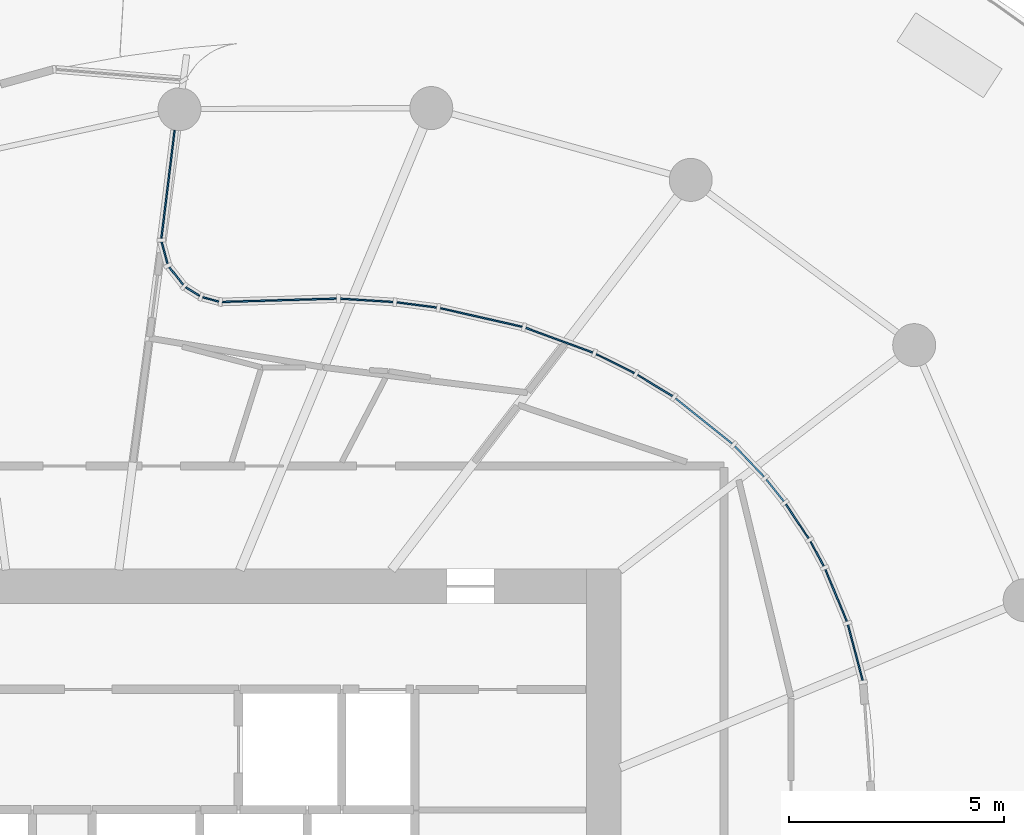
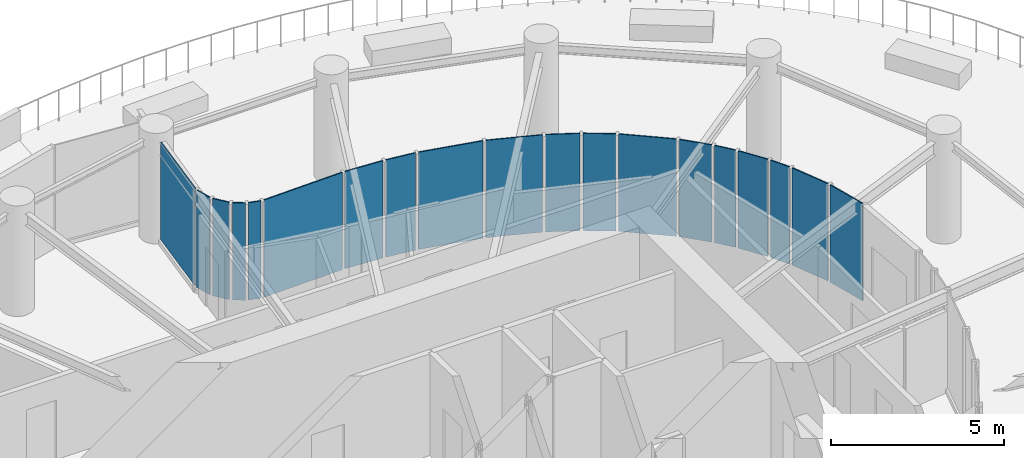
# One storey, part 11 of 21: 19 plates, 4 elements without a shape of their own.
"""IFC4 building model written with IfcOpenShell, lengths in metres."""

import ifcopenshell
import ifcopenshell.guid

model = None  # the IFC model being written
_history = None  # IfcOwnerHistory: only IFC2X3 demands one
_inside = {}  # id of a spatial element -> (the spatial element, [elements in it])
_under = {}  # id of a project, library or spatial element -> (it, [spatial elements below it])
_declared = {}  # id of a project -> (the project, [libraries it declares])
_typed = {}  # id of a type object -> (the type object, [elements of that type])
_made_of = {}  # id of a material, layer set ... -> (it, [elements and type objects made of it])


def new_model(schema):
    """Start an empty IFC model of exactly this schema.

    Asked for "IFC4X3", IfcOpenShell would pick the latest addendum, in which some entities
    have other attributes; the version numbers below select the first issue.
    IFC2X3 requires an IfcOwnerHistory on every rooted entity: one is made here for all.
    """
    global model, _history
    if schema == "IFC4X3":
        model = ifcopenshell.file(schema_version=(4, 3, 0, 0))
    else:
        model = ifcopenshell.file(schema=schema)
    _inside.clear()
    _under.clear()
    _declared.clear()
    _typed.clear()
    _made_of.clear()
    _history = None
    if model.schema == "IFC2X3":
        org = make("IfcOrganization", Name="unknown")
        user = make(
            "IfcPersonAndOrganization",
            ThePerson=make("IfcPerson", FamilyName="unknown"),
            TheOrganization=org,
        )
        app = make(
            "IfcApplication",
            ApplicationDeveloper=org,
            Version="unknown",
            ApplicationFullName="unknown",
            ApplicationIdentifier="unknown",
        )
        _history = make(
            "IfcOwnerHistory",
            OwningUser=user,
            OwningApplication=app,
            ChangeAction="ADDED",
            CreationDate=0,
        )
    return model


def make(cls, **values):
    """One entity of the class cls with the attributes given. An attribute that is None is left unset."""
    return model.create_entity(
        cls, **{name: value for name, value in values.items() if value is not None}
    )


def rooted(cls, **values):
    """An entity with a GlobalId (a new one), such as an element, a storey or a relation."""
    return make(cls, GlobalId=ifcopenshell.guid.new(), OwnerHistory=_history, **values)


def si_unit(unit_type, name, prefix=None):
    """IfcSIUnit, for example si_unit("LENGTHUNIT", "METRE", prefix="MILLI")."""
    return make("IfcSIUnit", UnitType=unit_type, Prefix=prefix, Name=name)


def assignment(units):
    """IfcUnitAssignment: the units of a project."""
    return None if units is None else make("IfcUnitAssignment", Units=units)


def point(xyz):
    """IfcCartesianPoint."""
    return None if xyz is None else make("IfcCartesianPoint", Coordinates=xyz)


def direction(xyz):
    """IfcDirection."""
    return None if xyz is None else make("IfcDirection", DirectionRatios=xyz)


def frame(location, z_axis=None, x_axis=None):
    """IfcAxis2Placement3D, a coordinate frame: its origin and axes. An axis left out is left unset."""
    return make(
        "IfcAxis2Placement3D",
        Location=point(location),
        Axis=direction(z_axis),
        RefDirection=direction(x_axis),
    )


def frame_2d(location, x_axis=None):
    """IfcAxis2Placement2D, a coordinate frame in the plane: its origin and x axis."""
    return make(
        "IfcAxis2Placement2D", Location=point(location), RefDirection=direction(x_axis)
    )


def origin():
    """The frame at (0, 0, 0) with its axes left unset."""
    return frame((0.0, 0.0, 0.0))


def origin_2d():
    """The frame at (0, 0) in the plane with its x axis left unset."""
    return frame_2d((0.0, 0.0))


def place(relative_to, where):
    """IfcLocalPlacement: puts the frame where relative to a parent placement (None: the world)."""
    return make(
        "IfcLocalPlacement", PlacementRelTo=relative_to, RelativePlacement=where
    )


def context(
    kind, dimensions, precision=None, world=None, true_north=None, identifier=None
):
    """IfcGeometricRepresentationContext, for example the 3D "Model" context."""
    return make(
        "IfcGeometricRepresentationContext",
        ContextIdentifier=identifier,
        ContextType=kind,
        CoordinateSpaceDimension=dimensions,
        Precision=precision,
        WorldCoordinateSystem=world,
        TrueNorth=true_north,
    )


def subcontext(parent, identifier, kind, view, scale=None):
    """IfcGeometricRepresentationSubContext, for example "Body" below "Model"."""
    return make(
        "IfcGeometricRepresentationSubContext",
        ContextIdentifier=identifier,
        ContextType=kind,
        ParentContext=parent,
        TargetScale=scale,
        TargetView=view,
    )


def project(units=None, contexts=None):
    """IfcProject with its units and contexts."""
    return rooted(
        "IfcProject",
        Name="project",
        RepresentationContexts=contexts,
        UnitsInContext=assignment(units),
    )


def spatial(cls, under=None, at=None, **own):
    """A site, building, storey or space (cls), placed at a placement, below another one or the project."""
    s = rooted(cls, ObjectPlacement=at, **own)
    if under is not None:
        _under.setdefault(under.id(), (under, []))[1].append(s)
    return s


def profile(cls, at=None, kind="AREA", **sizes):
    """A parametric profile (cls). Its sizes go by their IFC names, for example OverallWidth=200.0."""
    return make(cls, ProfileType=kind, Position=at, **sizes)


def rectangle(**sizes):
    """IfcRectangleProfileDef."""
    return profile("IfcRectangleProfileDef", **sizes)


def extrude(swept, where, along, depth):
    """IfcExtrudedAreaSolid: the profile swept, set in the frame where, extruded along a direction by depth."""
    return make(
        "IfcExtrudedAreaSolid",
        SweptArea=swept,
        Position=where,
        ExtrudedDirection=direction(along),
        Depth=depth,
    )


def shape(context_of_items, identifier, shape_type, items):
    """IfcShapeRepresentation: the items that make up one representation, for example the "Body"."""
    return make(
        "IfcShapeRepresentation",
        ContextOfItems=context_of_items,
        RepresentationIdentifier=identifier,
        RepresentationType=shape_type,
        Items=items,
    )


def source(mapping_origin, context_of_items, identifier, shape_type, items):
    """IfcRepresentationMap: a shape defined once, which mapped items show again and again."""
    return make(
        "IfcRepresentationMap",
        MappingOrigin=mapping_origin,
        MappedRepresentation=shape(context_of_items, identifier, shape_type, items),
    )


def transform(
    local_origin,
    x_axis=None,
    y_axis=None,
    z_axis=None,
    scale=None,
    scale2=None,
    scale3=None,
    uniform=True,
):
    """IfcCartesianTransformationOperator3D, or its non-uniform kind. x_axis, y_axis, z_axis: its Axis1, 2, 3."""
    if uniform:
        return make(
            "IfcCartesianTransformationOperator3D",
            Axis1=direction(x_axis),
            Axis2=direction(y_axis),
            LocalOrigin=point(local_origin),
            Scale=scale,
            Axis3=direction(z_axis),
        )
    return make(
        "IfcCartesianTransformationOperator3DnonUniform",
        Axis1=direction(x_axis),
        Axis2=direction(y_axis),
        LocalOrigin=point(local_origin),
        Scale=scale,
        Axis3=direction(z_axis),
        Scale2=scale2,
        Scale3=scale3,
    )


def mapped(mapping_source, mapping_target):
    """IfcMappedItem: shows the shape of a source again, moved by a transform."""
    return make(
        "IfcMappedItem", MappingSource=mapping_source, MappingTarget=mapping_target
    )


def material(Name=None, Category=None):
    """IfcMaterial."""
    return make("IfcMaterial", Name=Name, Category=Category)


def layer(
    of_material, thickness, ventilated=None, Name=None, Category=None, Priority=None
):
    """IfcMaterialLayer: one layer of a wall or slab, of a material (None: an air gap)."""
    return make(
        "IfcMaterialLayer",
        Material=of_material,
        LayerThickness=thickness,
        IsVentilated=ventilated,
        Name=Name,
        Category=Category,
        Priority=Priority,
    )


def layer_set(layers, Name=None):
    """IfcMaterialLayerSet."""
    return make("IfcMaterialLayerSet", MaterialLayers=layers, LayerSetName=Name)


def made_of(thing, what):
    """Note that an element or type object is made of a material, layer set ...; save() writes the relation."""
    if what is not None:
        _made_of.setdefault(what.id(), (what, []))[1].append(thing)
    return thing


def type_object(cls, material=None, **own):
    """A type object (cls), such as IfcWallType, which elements share."""
    return made_of(rooted(cls, **own), material)


def element(
    cls,
    number,
    at=None,
    inside=None,
    cuts=None,
    type_object=None,
    material=None,
    context=None,
    identifier="Body",
    shape_type=None,
    held_by="IfcProductDefinitionShape",
    body=None,
    shapes=None,
    **own,
):
    """One element of the class cls, such as IfcWall. Its Tag is "e" and its number.

    at: its placement. inside: the storey or other place that contains it. cuts: it is an
    opening in that element (IfcRelVoidsElement). A single representation is given by context,
    identifier, shape_type and body (its items); several are given by shapes. held_by: the class
    of the entity that holds the representations. save() writes the other relations.
    """
    e = rooted(cls, Tag="e%d" % number, ObjectPlacement=at, **own)
    if body is not None:
        shapes = [shape(context, identifier, shape_type, body)]
    if shapes is not None:
        e.Representation = make(held_by, Representations=shapes)
    if inside is not None:
        _inside.setdefault(inside.id(), (inside, []))[1].append(e)
    if cuts is not None:
        rooted(
            "IfcRelVoidsElement", RelatingBuildingElement=cuts, RelatedOpeningElement=e
        )
    if type_object is not None:
        _typed.setdefault(type_object.id(), (type_object, []))[1].append(e)
    return made_of(e, material)


def aggregate(whole, parts):
    """IfcRelAggregates: a whole, such as a stair, and the parts it consists of."""
    return rooted("IfcRelAggregates", RelatingObject=whole, RelatedObjects=parts)


def save(model, path):
    """Write the relations noted so far, then the file.

    IfcRelAggregates (storeys below a building ...), IfcRelContainedInSpatialStructure (elements
    in a storey), IfcRelDefinesByType, IfcRelAssociatesMaterial and IfcRelDeclares: one each for
    every whole, place, type object, material and project.
    """
    for whole, parts in _under.values():
        aggregate(whole, parts)
    for where, things in _inside.values():
        rooted(
            "IfcRelContainedInSpatialStructure",
            RelatedElements=things,
            RelatingStructure=where,
        )
    for kind, things in _typed.values():
        rooted("IfcRelDefinesByType", RelatedObjects=things, RelatingType=kind)
    for what, things in _made_of.values():
        rooted("IfcRelAssociatesMaterial", RelatedObjects=things, RelatingMaterial=what)
    for by, libraries in _declared.values():
        rooted("IfcRelDeclares", RelatingContext=by, RelatedDefinitions=libraries)
    model.write(path)


model = new_model("IFC4")

# Units and contexts
model_context = context("Model", 3, precision=1e-05, world=origin(), true_north=direction((0.0, 1.0)))
body_context = subcontext(model_context, "Body", "Model", "MODEL_VIEW")
ifc_project = project(units=[si_unit("LENGTHUNIT", "METRE"), si_unit("AREAUNIT", "SQUARE_METRE"), si_unit("VOLUMEUNIT", "CUBIC_METRE"), si_unit("PLANEANGLEUNIT", "RADIAN"), si_unit("MASSUNIT", "GRAM", prefix="KILO")], contexts=[model_context])

# Site, building, storey
site_placement = place(None, origin())
site = spatial("IfcSite", under=ifc_project, at=site_placement, CompositionType="ELEMENT")
building_placement = place(site_placement, origin())
building = spatial("IfcBuilding", under=site, at=building_placement, Name="Spindrift Exchange Tower", CompositionType="ELEMENT")
storey_placement = place(building_placement, frame((0.0, 0.0, 133.10009765625)))
storey = spatial("IfcBuildingStorey", under=building, at=storey_placement, Name="L31", CompositionType="ELEMENT", Elevation=133.10009765625)

# Curtain wall, plates
ifc_material_1 = material(Name="Fritted laminated glass with bronze frame", Category="glass")
ifc_layer_1 = layer(ifc_material_1, 0.199951171875)
ifc_layer_set_1 = layer_set([ifc_layer_1], Name="SKY GARDEN BRONZE GLAZED WALL")
curtain_wall_type = type_object("IfcCurtainWallType", Name="SKY GARDEN BRONZE GLAZED WALL", PredefinedType="NOTDEFINED", material=ifc_layer_set_1)
curtain_wall_1_placement = place(storey_placement, origin())
curtain_wall_1 = element("IfcCurtainWall", 1, at=curtain_wall_1_placement, inside=storey, type_object=curtain_wall_type, Name="L31 Sky Garden Bronze Glazed Wall run 8", PredefinedType="NOTDEFINED")
ifc_material_2 = material(Name="Bronze tinted laminated glass, clear vision", Category="glass")
ifc_layer_2 = layer(ifc_material_2, 0.0380859375)
ifc_layer_set_2 = layer_set([ifc_layer_2], Name="SKY GARDEN BRONZE GLAZED WALL PANEL CLEAR 1920")
plate_type_1 = type_object("IfcPlateType", Name="SKY GARDEN BRONZE GLAZED WALL PANEL CLEAR 1920", PredefinedType="CURTAIN_PANEL", material=ifc_layer_set_2)
shared_shape_1 = source(origin(), body_context, "Body", "SweptSolid", [
    extrude(rectangle(XDim=1.335693359375, YDim=0.0380859375, at=origin_2d()), origin(), (0.0, 0.0, 1.0), 3.429931640625),
])
plate_1_placement = place(storey_placement, frame((70.45556640625, 56.055419921875, 0.14990234375), z_axis=(0.0, 0.0, 1.0), x_axis=(-0.25473865856, 0.967009935748, 0.0)))
plate_1 = element("IfcPlate", 2, at=plate_1_placement, type_object=plate_type_1, Name="L31 panel CW-G.42", PredefinedType="CURTAIN_PANEL", context=body_context, shape_type="MappedRepresentation", body=[
    mapped(shared_shape_1, transform((0.0, 0.0, 0.0), scale=1.0)),
])
shared_shape_2 = source(origin(), body_context, "Body", "SweptSolid", [
    extrude(rectangle(XDim=1.310546875, YDim=0.0380859375, at=origin_2d()), origin(), (0.0, 0.0, 1.0), 3.429931640625),
])
plate_2_placement = place(storey_placement, frame((70.00830078125, 57.38720703125, 0.14990234375), z_axis=(0.0, 0.0, 1.0), x_axis=(-0.381794782386, 0.924247122875, 0.0)))
plate_2 = element("IfcPlate", 3, at=plate_2_placement, type_object=plate_type_1, Name="L31 panel CW-G.43", PredefinedType="CURTAIN_PANEL", context=body_context, shape_type="MappedRepresentation", body=[
    mapped(shared_shape_2, transform((0.0, 0.0, 0.0), scale=1.0)),
])
ifc_layer_3 = layer(ifc_material_2, 0.0380859375)
ifc_layer_set_3 = layer_set([ifc_layer_3], Name="SKY GARDEN BRONZE GLAZED WALL PANEL CLEAR 1200")
plate_type_2 = type_object("IfcPlateType", Name="SKY GARDEN BRONZE GLAZED WALL PANEL CLEAR 1200", PredefinedType="CURTAIN_PANEL", material=ifc_layer_set_3)
shared_shape_3 = source(origin(), body_context, "Body", "SweptSolid", [
    extrude(rectangle(XDim=0.651123046875, YDim=0.0380859375, at=origin_2d()), origin(), (0.0, 0.0, 1.0), 3.429931640625),
])
plate_3_placement = place(storey_placement, frame((69.56640625, 58.355712890625, 0.14990234375), z_axis=(0.0, 0.0, 1.0), x_axis=(-0.476585008015, 0.879128392293, 0.0)))
plate_3 = element("IfcPlate", 4, at=plate_3_placement, type_object=plate_type_2, Name="L31 panel CW-G.44", PredefinedType="CURTAIN_PANEL", context=body_context, shape_type="MappedRepresentation", body=[
    mapped(shared_shape_3, transform((0.0, 0.0, 0.0), scale=1.0)),
])
shared_shape_4 = source(origin(), body_context, "Body", "SweptSolid", [
    extrude(rectangle(XDim=0.954833984375, YDim=0.0380859375, at=origin_2d()), origin(), (0.0, 0.0, 1.0), 3.429931640625),
])
plate_4_placement = place(storey_placement, frame((69.10400390625, 59.11279296875, 0.14990234375), z_axis=(0.0, 0.0, 1.0), x_axis=(-0.552345887812, 0.833615031185, 0.0)))
plate_4 = element("IfcPlate", 5, at=plate_4_placement, type_object=plate_type_2, Name="L31 panel CW-G.45", PredefinedType="CURTAIN_PANEL", context=body_context, shape_type="MappedRepresentation", body=[
    mapped(shared_shape_4, transform((0.0, 0.0, 0.0), scale=1.0)),
])
aggregate(curtain_wall_1, [plate_1, plate_2, plate_3, plate_4])

curtain_wall_2_placement = place(storey_placement, origin())
curtain_wall_2 = element("IfcCurtainWall", 6, at=curtain_wall_2_placement, inside=storey, type_object=curtain_wall_type, Name="L31 Sky Garden Bronze Glazed Wall run 9", PredefinedType="NOTDEFINED")
shared_shape_5 = source(origin(), body_context, "Body", "SweptSolid", [
    extrude(rectangle(XDim=0.65087890625, YDim=0.0380859375, at=origin_2d()), origin(), (0.0, 0.0, 1.0), 3.429931640625),
])
plate_5_placement = place(storey_placement, frame((68.587158203125, 59.833740234375, 0.14990234375), z_axis=(0.0, 0.0, 1.0), x_axis=(-0.623750007133, 0.78162390483, 0.0)))
plate_5 = element("IfcPlate", 7, at=plate_5_placement, type_object=plate_type_1, Name="L31 panel CW-G.46", PredefinedType="CURTAIN_PANEL", context=body_context, shape_type="MappedRepresentation", body=[
    mapped(shared_shape_5, transform((0.0, 0.0, 0.0), scale=1.0)),
])
ifc_layer_4 = layer(ifc_material_2, 0.0380859375)
ifc_layer_set_4 = layer_set([ifc_layer_4], Name="SKY GARDEN BRONZE GLAZED WALL PANEL CLEAR 1560")
plate_type_3 = type_object("IfcPlateType", Name="SKY GARDEN BRONZE GLAZED WALL PANEL CLEAR 1560", PredefinedType="CURTAIN_PANEL", material=ifc_layer_set_4)
shared_shape_6 = source(origin(), body_context, "Body", "SweptSolid", [
    extrude(rectangle(XDim=0.980224609375, YDim=0.0380859375, at=origin_2d()), origin(), (0.0, 0.0, 1.0), 3.429931640625),
])
plate_6_placement = place(storey_placement, frame((67.989990234375, 60.507080078125, 0.14990234375), z_axis=(0.0, 0.0, 1.0), x_axis=(-0.690200723852, 0.723617966052, 0.0)))
plate_6 = element("IfcPlate", 8, at=plate_6_placement, type_object=plate_type_3, Name="L31 panel CW-G.47", PredefinedType="CURTAIN_PANEL", context=body_context, shape_type="MappedRepresentation", body=[
    mapped(shared_shape_6, transform((0.0, 0.0, 0.0), scale=1.0)),
])
shared_shape_7 = source(origin(), body_context, "Body", "SweptSolid", [
    extrude(rectangle(XDim=1.68798828125, YDim=0.0380859375, at=origin_2d()), origin(), (0.0, 0.0, 1.0), 3.429931640625),
])
plate_7_placement = place(storey_placement, frame((66.930419921875, 61.4462890625, 0.14990234375), z_axis=(0.0, 0.0, 1.0), x_axis=(-0.780643156723, 0.624977009066, 0.0)))
plate_7 = element("IfcPlate", 9, at=plate_7_placement, type_object=plate_type_3, Name="L31 panel CW-G.48", PredefinedType="CURTAIN_PANEL", context=body_context, shape_type="MappedRepresentation", body=[
    mapped(shared_shape_7, transform((0.0, 0.0, 0.0), scale=1.0)),
])
shared_shape_8 = source(origin(), body_context, "Body", "SweptSolid", [
    extrude(rectangle(XDim=0.955810546875, YDim=0.0380859375, at=origin_2d()), origin(), (0.0, 0.0, 1.0), 3.429931640625),
])
plate_8_placement = place(storey_placement, frame((65.79443359375, 62.2724609375, 0.14990234375), z_axis=(0.0, 0.0, 1.0), x_axis=(-0.852665697433, 0.522456896233, 0.0)))
plate_8 = element("IfcPlate", 10, at=plate_8_placement, type_object=plate_type_3, Name="L31 panel CW-G.49", PredefinedType="CURTAIN_PANEL", context=body_context, shape_type="MappedRepresentation", body=[
    mapped(shared_shape_8, transform((0.0, 0.0, 0.0), scale=1.0)),
])
shared_shape_9 = source(origin(), body_context, "Body", "SweptSolid", [
    extrude(rectangle(XDim=0.994140625, YDim=0.0380859375, at=origin_2d()), origin(), (0.0, 0.0, 1.0), 3.429931640625),
])
plate_9_placement = place(storey_placement, frame((64.86767578125, 62.784912109375, 0.14990234375), z_axis=(0.0, 0.0, 1.0), x_axis=(-0.895185759539, 0.445693230731, 0.0)))
plate_9 = element("IfcPlate", 11, at=plate_9_placement, type_object=plate_type_3, Name="L31 panel CW-G.50", PredefinedType="CURTAIN_PANEL", context=body_context, shape_type="MappedRepresentation", body=[
    mapped(shared_shape_9, transform((0.0, 0.0, 0.0), scale=1.0)),
])
shared_shape_10 = source(origin(), body_context, "Body", "SweptSolid", [
    extrude(rectangle(XDim=1.662353515625, YDim=0.0380859375, at=origin_2d()), origin(), (0.0, 0.0, 1.0), 3.429931640625),
])
plate_10_placement = place(storey_placement, frame((63.56494140625, 63.327880859375, 0.14990234375), z_axis=(0.0, 0.0, 1.0), x_axis=(-0.938060181493, 0.346472359499, 0.0)))
plate_10 = element("IfcPlate", 12, at=plate_10_placement, type_object=plate_type_2, Name="L31 panel CW-G.51", PredefinedType="CURTAIN_PANEL", context=body_context, shape_type="MappedRepresentation", body=[
    mapped(shared_shape_10, transform((0.0, 0.0, 0.0), scale=1.0)),
])
aggregate(curtain_wall_2, [plate_5, plate_6, plate_7, plate_8, plate_9, plate_10])

curtain_wall_3_placement = place(storey_placement, origin())
curtain_wall_3 = element("IfcCurtainWall", 13, at=curtain_wall_3_placement, inside=storey, type_object=curtain_wall_type, Name="L31 Sky Garden Bronze Glazed Wall run 10", PredefinedType="NOTDEFINED")
shared_shape_11 = source(origin(), body_context, "Body", "SweptSolid", [
    extrude(rectangle(XDim=1.956787109375, YDim=0.0380859375, at=origin_2d()), origin(), (0.0, 0.0, 1.0), 3.429931640625),
])
plate_11_placement = place(storey_placement, frame((61.75, 63.857177734375, 0.14990234375), z_axis=(0.0, 0.0, 1.0), x_axis=(-0.97510331894, 0.221751025686, 0.0)))
plate_11 = element("IfcPlate", 14, at=plate_11_placement, type_object=plate_type_1, Name="L31 panel CW-G.52", PredefinedType="CURTAIN_PANEL", context=body_context, shape_type="MappedRepresentation", body=[
    mapped(shared_shape_11, transform((0.0, 0.0, 0.0), scale=1.0)),
])
shared_shape_12 = source(origin(), body_context, "Body", "SweptSolid", [
    extrude(rectangle(XDim=0.93701171875, YDim=0.0380859375, at=origin_2d()), origin(), (0.0, 0.0, 1.0), 3.429931640625),
])
plate_12_placement = place(storey_placement, frame((60.24755859375, 64.149169921875, 0.14990234375), z_axis=(0.0, 0.0, 1.0), x_axis=(-0.991701481603, 0.128561935992, 0.0)))
plate_12 = element("IfcPlate", 15, at=plate_12_placement, type_object=plate_type_2, Name="L31 panel CW-G.53", PredefinedType="CURTAIN_PANEL", context=body_context, shape_type="MappedRepresentation", body=[
    mapped(shared_shape_12, transform((0.0, 0.0, 0.0), scale=1.0)),
])
shared_shape_13 = source(origin(), body_context, "Body", "SweptSolid", [
    extrude(rectangle(XDim=1.231201171875, YDim=0.0380859375, at=origin_2d()), origin(), (0.0, 0.0, 1.0), 3.429931640625),
])
plate_13_placement = place(storey_placement, frame((59.083984375, 64.25634765625, 0.14990234375), z_axis=(0.0, 0.0, 1.0), x_axis=(-0.998014545195, 0.062983867612, 0.0)))
plate_13 = element("IfcPlate", 16, at=plate_13_placement, type_object=plate_type_3, Name="L31 panel CW-G.54", PredefinedType="CURTAIN_PANEL", context=body_context, shape_type="MappedRepresentation", body=[
    mapped(shared_shape_13, transform((0.0, 0.0, 0.0), scale=1.0)),
])
shared_shape_14 = source(origin(), body_context, "Body", "SweptSolid", [
    extrude(rectangle(XDim=2.66455078125, YDim=0.0380859375, at=origin_2d()), origin(), (0.0, 0.0, 1.0), 3.429931640625),
])
plate_14_placement = place(storey_placement, frame((57.052978515625, 64.2578125, 0.14990234375), z_axis=(0.0, 0.0, 1.0), x_axis=(-0.99957982173, -0.028985858451, 0.0)))
plate_14 = element("IfcPlate", 17, at=plate_14_placement, type_object=plate_type_2, Name="L31 panel CW-G.55", PredefinedType="CURTAIN_PANEL", context=body_context, shape_type="MappedRepresentation", body=[
    mapped(shared_shape_14, transform((0.0, 0.0, 0.0), scale=1.0)),
])
shared_shape_15 = source(origin(), body_context, "Body", "SweptSolid", [
    extrude(rectangle(XDim=0.380615234375, YDim=0.0380859375, at=origin_2d()), origin(), (0.0, 0.0, 1.0), 3.429931640625),
])
plate_15_placement = place(storey_placement, frame((55.45361328125, 64.277587890625, 0.14990234375), z_axis=(0.0, 0.0, 1.0), x_axis=(-0.966622463803, 0.256205020386, 0.0)))
plate_15 = element("IfcPlate", 18, at=plate_15_placement, type_object=plate_type_3, Name="L31 panel CW-G.56", PredefinedType="CURTAIN_PANEL", context=body_context, shape_type="MappedRepresentation", body=[
    mapped(shared_shape_15, transform((0.0, 0.0, 0.0), scale=1.0)),
])
shared_shape_16 = source(origin(), body_context, "Body", "SweptSolid", [
    extrude(rectangle(XDim=0.375732421875, YDim=0.0380859375, at=origin_2d()), origin(), (0.0, 0.0, 1.0), 3.429931640625),
])
plate_16_placement = place(storey_placement, frame((55.033447265625, 64.459716796875, 0.14990234375), z_axis=(0.0, 0.0, 1.0), x_axis=(-0.847632563068, 0.530583676744, 0.0)))
plate_16 = element("IfcPlate", 19, at=plate_16_placement, type_object=plate_type_1, Name="L31 panel CW-G.57", PredefinedType="CURTAIN_PANEL", context=body_context, shape_type="MappedRepresentation", body=[
    mapped(shared_shape_16, transform((0.0, 0.0, 0.0), scale=1.0)),
])
aggregate(curtain_wall_3, [plate_11, plate_12, plate_13, plate_14, plate_15, plate_16])

curtain_wall_4_placement = place(storey_placement, origin())
curtain_wall_4 = element("IfcCurtainWall", 20, at=curtain_wall_4_placement, inside=storey, type_object=curtain_wall_type, Name="L31 Sky Garden Bronze Glazed Wall run 11", PredefinedType="NOTDEFINED")
shared_shape_17 = source(origin(), body_context, "Body", "SweptSolid", [
    extrude(rectangle(XDim=0.527587890625, YDim=0.0380859375, at=origin_2d()), origin(), (0.0, 0.0, 1.0), 3.429931640625),
])
plate_17_placement = place(storey_placement, frame((54.6494140625, 64.8232421875, 0.14990234375), z_axis=(0.0, 0.0, 1.0), x_axis=(-0.61601762501, 0.787732369322, 0.0)))
plate_17 = element("IfcPlate", 21, at=plate_17_placement, type_object=plate_type_2, Name="L31 panel CW-G.58", PredefinedType="CURTAIN_PANEL", context=body_context, shape_type="MappedRepresentation", body=[
    mapped(shared_shape_17, transform((0.0, 0.0, 0.0), scale=1.0)),
])
shared_shape_18 = source(origin(), body_context, "Body", "SweptSolid", [
    extrude(rectangle(XDim=0.527587890625, YDim=0.0380859375, at=origin_2d()), origin(), (0.0, 0.0, 1.0), 3.429931640625),
])
plate_18_placement = place(storey_placement, frame((54.38037109375, 65.360107421875, 0.14990234375), z_axis=(0.0, 0.0, 1.0), x_axis=(-0.262453599422, 0.964944614032, 0.0)))
plate_18 = element("IfcPlate", 22, at=plate_18_placement, type_object=plate_type_1, Name="L31 panel CW-G.59", PredefinedType="CURTAIN_PANEL", context=body_context, shape_type="MappedRepresentation", body=[
    mapped(shared_shape_18, transform((0.0, 0.0, 0.0), scale=1.0)),
])
shared_shape_19 = source(origin(), body_context, "Body", "SweptSolid", [
    extrude(rectangle(XDim=2.536376953125, YDim=0.0380859375, at=origin_2d()), origin(), (0.0, 0.0, 1.0), 3.429931640625),
])
plate_19_placement = place(storey_placement, frame((54.458740234375, 66.956787109375, 0.14990234375), z_axis=(0.0, 0.0, 1.0), x_axis=(0.121266473661, 0.992619988901, 0.0)))
plate_19 = element("IfcPlate", 23, at=plate_19_placement, type_object=plate_type_2, Name="L31 panel CW-G.60", PredefinedType="CURTAIN_PANEL", context=body_context, shape_type="MappedRepresentation", body=[
    mapped(shared_shape_19, transform((0.0, 0.0, 0.0), scale=1.0)),
])
aggregate(curtain_wall_4, [plate_17, plate_18, plate_19])

save(model, "model.ifc")
